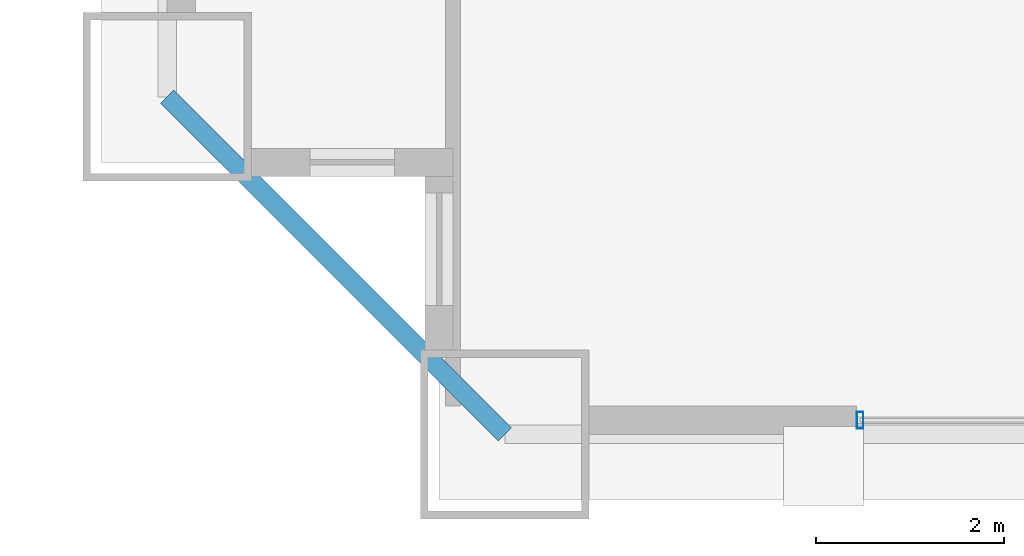
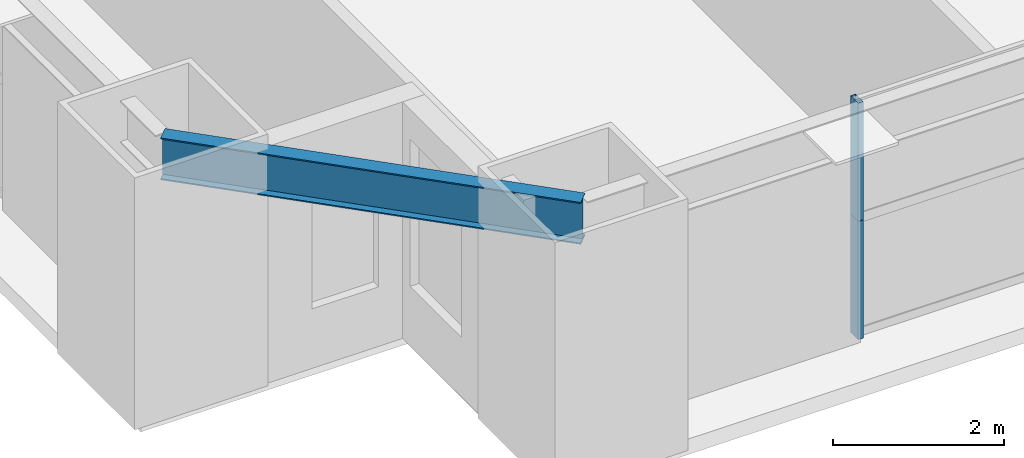
# One storey, part 3 of 46: 2 members, 1 beam, 1 element without a shape of its own.
"""IFC4 building model written with IfcOpenShell, lengths in metres."""

from ifc_helpers import new_model, si_unit, direction, frame, origin, origin_2d, place, context, subcontext, project, spatial, hollow_rectangle, i_section, extrude, source, transform, mapped, material, layer, layer_set, material_profile, profile_set, type_object, element, aggregate, save


model = new_model("IFC4")

# Units and contexts
model_context = context("Model", 3, precision=1e-05, world=origin(), true_north=direction((0.0, 1.0)))
body_context = subcontext(model_context, "Body", "Model", "MODEL_VIEW")
ifc_project = project(units=[si_unit("LENGTHUNIT", "METRE"), si_unit("AREAUNIT", "SQUARE_METRE"), si_unit("VOLUMEUNIT", "CUBIC_METRE"), si_unit("PLANEANGLEUNIT", "RADIAN"), si_unit("MASSUNIT", "GRAM", prefix="KILO"), si_unit("THERMODYNAMICTEMPERATUREUNIT", "KELVIN"), si_unit("POWERUNIT", "WATT")], contexts=[model_context])

# Site, building, storey
site_placement = place(None, origin())
site = spatial("IfcSite", under=ifc_project, at=site_placement, CompositionType="ELEMENT")
building_placement = place(site_placement, origin())
building = spatial("IfcBuilding", under=site, at=building_placement, Name="Yuzanri Waterfront Tower", CompositionType="ELEMENT")
storey_placement = place(building_placement, frame((0.0, 0.0, 56.800048828125)))
storey = spatial("IfcBuildingStorey", under=building, at=storey_placement, Name="L14", CompositionType="ELEMENT", Elevation=56.800048828125)

# Beam
ifc_material_1 = material(Name="Steel Q355B", Category="steel")
ifc_material_profile_1 = material_profile(ifc_material_1, i_section(OverallWidth=0.199951171875, OverallDepth=0.60009765625, WebThickness=0.010986328125, FlangeThickness=0.01708984375, at=origin_2d()), Name="HN 600x200x11x17")
ifc_profile_set_1 = profile_set([ifc_material_profile_1], Name="Steel Q355B")
beam_type = type_object("IfcBeamType", Name="Perimeter Spandrel Q355B HN 600x200", PredefinedType="SPANDREL", material=ifc_profile_set_1)
shared_shape_1 = source(origin(), body_context, "Body", "SweptSolid", [
    extrude(i_section(OverallWidth=0.199951171875, OverallDepth=0.60009765625, WebThickness=0.010986328125, FlangeThickness=0.01708984375, at=origin_2d()), origin(), (0.0, 0.0, 1.0), 5.09130859375),
])
beam_placement = place(storey_placement, frame((11.89990234375, 4.300048828125, 3.079833984375), z_axis=(0.707106781187, -0.707106781187, 0.0), x_axis=(0.707106781187, 0.707106781187, 0.0)))
element("IfcBeam", 1, at=beam_placement, inside=storey, type_object=beam_type, Name="L14 Perimeter Spandrel W1-S1", PredefinedType="SPANDREL", context=body_context, shape_type="MappedRepresentation", body=[
    mapped(shared_shape_1, transform((0.0, 0.0, 0.0), scale=1.0)),
])

# Curtain wall, members
ifc_material_2 = material(Name="Anodized Architectural Bronze", Category="metal")
ifc_layer = layer(ifc_material_2, 0.159912109375)
ifc_layer_set = layer_set([ifc_layer], Name="Anodized Architectural Bronze")
curtain_wall_type = type_object("IfcCurtainWallType", Name="Anodized Bronze Hotel Lower-Tier Recessed Unitized Curtain Wall 8100", PredefinedType="NOTDEFINED", material=ifc_layer_set)
curtain_wall_placement = place(storey_placement, origin())
curtain_wall = element("IfcCurtainWall", 2, at=curtain_wall_placement, inside=storey, type_object=curtain_wall_type, Name="L14 Curtain Wall CW-L14-SL", PredefinedType="NOTDEFINED")
ifc_material_3 = material(Name="Anodized Architectural Bronze", Category="metal")
ifc_material_profile_2 = material_profile(ifc_material_3, hollow_rectangle(XDim=0.070068359375, YDim=0.179931640625, WallThickness=0.00390625, at=origin_2d()), Name="CWM 70x180")
ifc_profile_set_2 = profile_set([ifc_material_profile_2], Name="Anodized Architectural Bronze")
member_type = type_object("IfcMemberType", Name="Anodized Bronze Standard Curtain-Wall Mullion 70x180", PredefinedType="MULLION", material=ifc_profile_set_2)
shared_shape_2 = source(origin(), body_context, "Body", "SweptSolid", [
    extrude(hollow_rectangle(XDim=0.070068359375, YDim=0.179931640625, WallThickness=0.00390625, at=origin_2d()), origin(), (0.0, 0.0, 1.0), 1.68798828125),
])
member_1_placement = place(storey_placement, frame((19.2900390625, 0.85009765625, 0.0), z_axis=(0.0, 0.0, 1.0), x_axis=(1.0, 0.0, 0.0)))
member_1 = element("IfcMember", 3, at=member_1_placement, type_object=member_type, Name="CW-L14-SL Lower Mullion 00", PredefinedType="MULLION", context=body_context, shape_type="MappedRepresentation", body=[
    mapped(shared_shape_2, transform((0.0, 0.0, 0.0), scale=1.0)),
])
member_2_placement = place(storey_placement, frame((19.2900390625, 0.85009765625, 1.69189453125), z_axis=(0.0, 0.0, 1.0), x_axis=(1.0, 0.0, 0.0)))
member_2 = element("IfcMember", 4, at=member_2_placement, type_object=member_type, Name="CW-L14-SL Upper Mullion 00", PredefinedType="MULLION", context=body_context, shape_type="MappedRepresentation", body=[
    mapped(shared_shape_2, transform((0.0, 0.0, 0.0), scale=1.0)),
])
aggregate(curtain_wall, [member_1, member_2])

save(model, "model.ifc")
